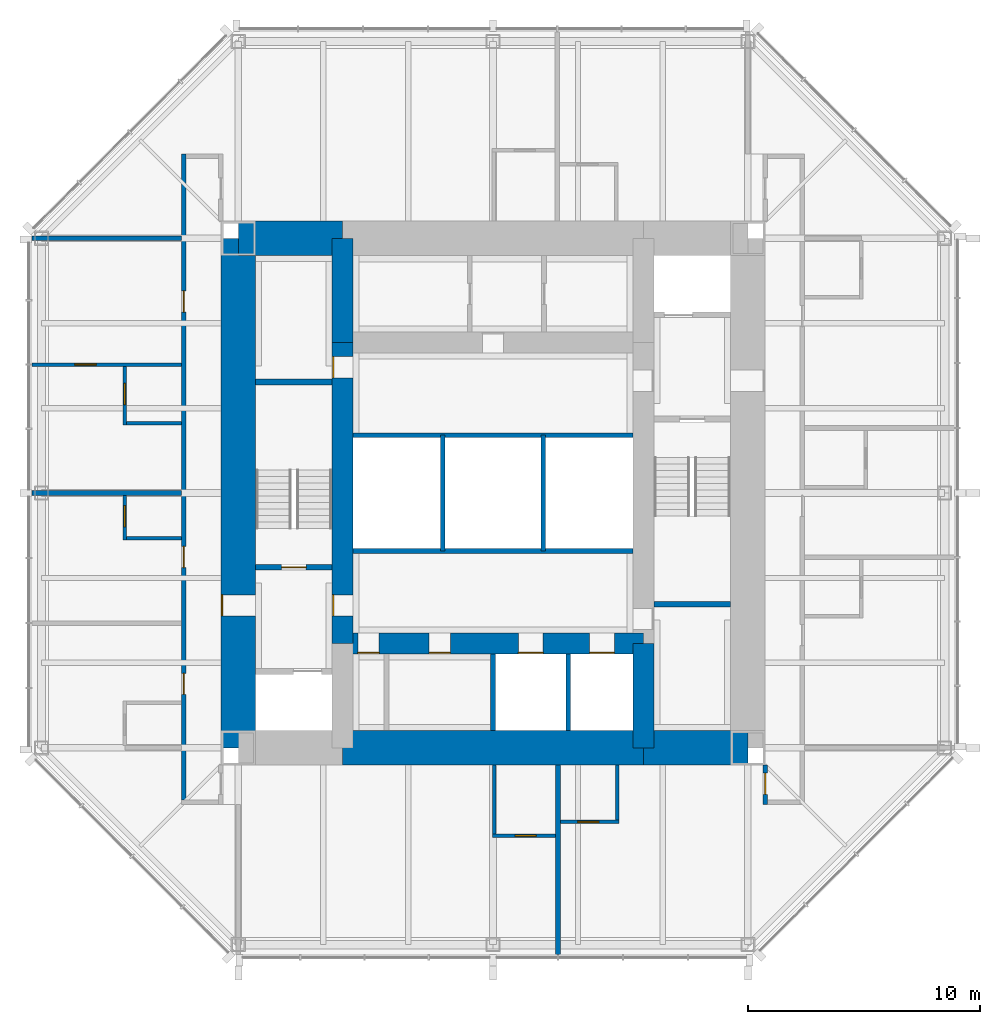
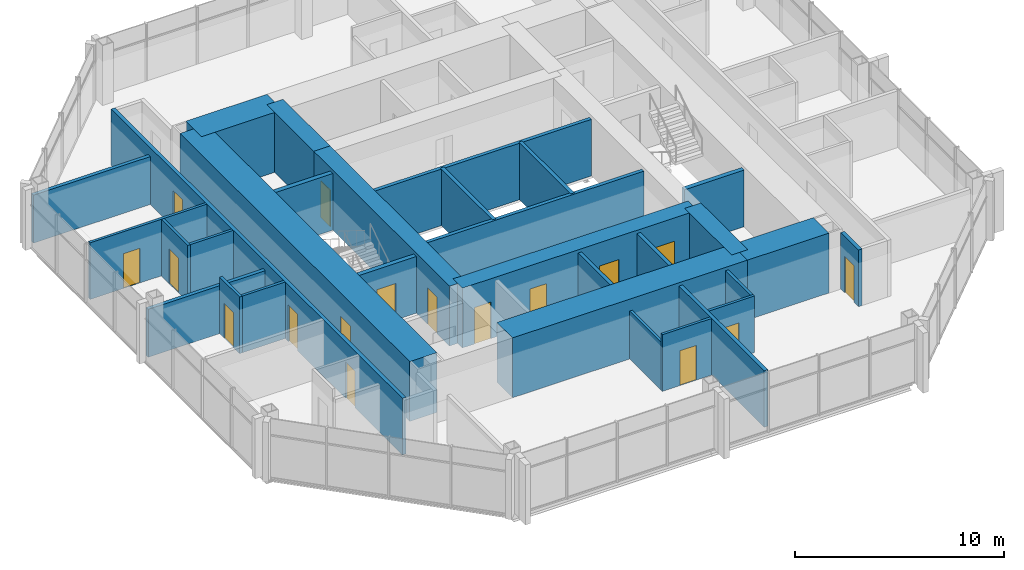
# One storey, part 8 of 11: 31 walls, 17 doors, 17 openings.
"""IFC4 building model written with IfcOpenShell, lengths in metres."""

import ifcopenshell
import ifcopenshell.guid

model = None  # the IFC model being written
_history = None  # IfcOwnerHistory: only IFC2X3 demands one
_inside = {}  # id of a spatial element -> (the spatial element, [elements in it])
_under = {}  # id of a project, library or spatial element -> (it, [spatial elements below it])
_declared = {}  # id of a project -> (the project, [libraries it declares])
_typed = {}  # id of a type object -> (the type object, [elements of that type])
_made_of = {}  # id of a material, layer set ... -> (it, [elements and type objects made of it])


def new_model(schema):
    """Start an empty IFC model of exactly this schema.

    Asked for "IFC4X3", IfcOpenShell would pick the latest addendum, in which some entities
    have other attributes; the version numbers below select the first issue.
    IFC2X3 requires an IfcOwnerHistory on every rooted entity: one is made here for all.
    """
    global model, _history
    if schema == "IFC4X3":
        model = ifcopenshell.file(schema_version=(4, 3, 0, 0))
    else:
        model = ifcopenshell.file(schema=schema)
    _inside.clear()
    _under.clear()
    _declared.clear()
    _typed.clear()
    _made_of.clear()
    _history = None
    if model.schema == "IFC2X3":
        org = make("IfcOrganization", Name="unknown")
        user = make(
            "IfcPersonAndOrganization",
            ThePerson=make("IfcPerson", FamilyName="unknown"),
            TheOrganization=org,
        )
        app = make(
            "IfcApplication",
            ApplicationDeveloper=org,
            Version="unknown",
            ApplicationFullName="unknown",
            ApplicationIdentifier="unknown",
        )
        _history = make(
            "IfcOwnerHistory",
            OwningUser=user,
            OwningApplication=app,
            ChangeAction="ADDED",
            CreationDate=0,
        )
    return model


def make(cls, **values):
    """One entity of the class cls with the attributes given. An attribute that is None is left unset."""
    return model.create_entity(
        cls, **{name: value for name, value in values.items() if value is not None}
    )


def rooted(cls, **values):
    """An entity with a GlobalId (a new one), such as an element, a storey or a relation."""
    return make(cls, GlobalId=ifcopenshell.guid.new(), OwnerHistory=_history, **values)


def si_unit(unit_type, name, prefix=None):
    """IfcSIUnit, for example si_unit("LENGTHUNIT", "METRE", prefix="MILLI")."""
    return make("IfcSIUnit", UnitType=unit_type, Prefix=prefix, Name=name)


def assignment(units):
    """IfcUnitAssignment: the units of a project."""
    return None if units is None else make("IfcUnitAssignment", Units=units)


def point(xyz):
    """IfcCartesianPoint."""
    return None if xyz is None else make("IfcCartesianPoint", Coordinates=xyz)


def direction(xyz):
    """IfcDirection."""
    return None if xyz is None else make("IfcDirection", DirectionRatios=xyz)


def frame(location, z_axis=None, x_axis=None):
    """IfcAxis2Placement3D, a coordinate frame: its origin and axes. An axis left out is left unset."""
    return make(
        "IfcAxis2Placement3D",
        Location=point(location),
        Axis=direction(z_axis),
        RefDirection=direction(x_axis),
    )


def frame_2d(location, x_axis=None):
    """IfcAxis2Placement2D, a coordinate frame in the plane: its origin and x axis."""
    return make(
        "IfcAxis2Placement2D", Location=point(location), RefDirection=direction(x_axis)
    )


def origin():
    """The frame at (0, 0, 0) with its axes left unset."""
    return frame((0.0, 0.0, 0.0))


def place(relative_to, where):
    """IfcLocalPlacement: puts the frame where relative to a parent placement (None: the world)."""
    return make(
        "IfcLocalPlacement", PlacementRelTo=relative_to, RelativePlacement=where
    )


def context(
    kind, dimensions, precision=None, world=None, true_north=None, identifier=None
):
    """IfcGeometricRepresentationContext, for example the 3D "Model" context."""
    return make(
        "IfcGeometricRepresentationContext",
        ContextIdentifier=identifier,
        ContextType=kind,
        CoordinateSpaceDimension=dimensions,
        Precision=precision,
        WorldCoordinateSystem=world,
        TrueNorth=true_north,
    )


def subcontext(parent, identifier, kind, view, scale=None):
    """IfcGeometricRepresentationSubContext, for example "Body" below "Model"."""
    return make(
        "IfcGeometricRepresentationSubContext",
        ContextIdentifier=identifier,
        ContextType=kind,
        ParentContext=parent,
        TargetScale=scale,
        TargetView=view,
    )


def project(units=None, contexts=None):
    """IfcProject with its units and contexts."""
    return rooted(
        "IfcProject",
        Name="project",
        RepresentationContexts=contexts,
        UnitsInContext=assignment(units),
    )


def spatial(cls, under=None, at=None, **own):
    """A site, building, storey or space (cls), placed at a placement, below another one or the project."""
    s = rooted(cls, ObjectPlacement=at, **own)
    if under is not None:
        _under.setdefault(under.id(), (under, []))[1].append(s)
    return s


def profile(cls, at=None, kind="AREA", **sizes):
    """A parametric profile (cls). Its sizes go by their IFC names, for example OverallWidth=200.0."""
    return make(cls, ProfileType=kind, Position=at, **sizes)


def rectangle(**sizes):
    """IfcRectangleProfileDef."""
    return profile("IfcRectangleProfileDef", **sizes)


def extrude(swept, where, along, depth):
    """IfcExtrudedAreaSolid: the profile swept, set in the frame where, extruded along a direction by depth."""
    return make(
        "IfcExtrudedAreaSolid",
        SweptArea=swept,
        Position=where,
        ExtrudedDirection=direction(along),
        Depth=depth,
    )


def shape(context_of_items, identifier, shape_type, items):
    """IfcShapeRepresentation: the items that make up one representation, for example the "Body"."""
    return make(
        "IfcShapeRepresentation",
        ContextOfItems=context_of_items,
        RepresentationIdentifier=identifier,
        RepresentationType=shape_type,
        Items=items,
    )


def material(Name=None, Category=None):
    """IfcMaterial."""
    return make("IfcMaterial", Name=Name, Category=Category)


def layer(
    of_material, thickness, ventilated=None, Name=None, Category=None, Priority=None
):
    """IfcMaterialLayer: one layer of a wall or slab, of a material (None: an air gap)."""
    return make(
        "IfcMaterialLayer",
        Material=of_material,
        LayerThickness=thickness,
        IsVentilated=ventilated,
        Name=Name,
        Category=Category,
        Priority=Priority,
    )


def layer_set(layers, Name=None):
    """IfcMaterialLayerSet."""
    return make("IfcMaterialLayerSet", MaterialLayers=layers, LayerSetName=Name)


def made_of(thing, what):
    """Note that an element or type object is made of a material, layer set ...; save() writes the relation."""
    if what is not None:
        _made_of.setdefault(what.id(), (what, []))[1].append(thing)
    return thing


def type_object(cls, material=None, **own):
    """A type object (cls), such as IfcWallType, which elements share."""
    return made_of(rooted(cls, **own), material)


def element(
    cls,
    number,
    at=None,
    inside=None,
    cuts=None,
    type_object=None,
    material=None,
    context=None,
    identifier="Body",
    shape_type=None,
    held_by="IfcProductDefinitionShape",
    body=None,
    shapes=None,
    **own,
):
    """One element of the class cls, such as IfcWall. Its Tag is "e" and its number.

    at: its placement. inside: the storey or other place that contains it. cuts: it is an
    opening in that element (IfcRelVoidsElement). A single representation is given by context,
    identifier, shape_type and body (its items); several are given by shapes. held_by: the class
    of the entity that holds the representations. save() writes the other relations.
    """
    e = rooted(cls, Tag="e%d" % number, ObjectPlacement=at, **own)
    if body is not None:
        shapes = [shape(context, identifier, shape_type, body)]
    if shapes is not None:
        e.Representation = make(held_by, Representations=shapes)
    if inside is not None:
        _inside.setdefault(inside.id(), (inside, []))[1].append(e)
    if cuts is not None:
        rooted(
            "IfcRelVoidsElement", RelatingBuildingElement=cuts, RelatedOpeningElement=e
        )
    if type_object is not None:
        _typed.setdefault(type_object.id(), (type_object, []))[1].append(e)
    return made_of(e, material)


def fill(opening, filler):
    """IfcRelFillsElement: the door or window that sits in an opening."""
    return rooted(
        "IfcRelFillsElement",
        RelatingOpeningElement=opening,
        RelatedBuildingElement=filler,
    )


def aggregate(whole, parts):
    """IfcRelAggregates: a whole, such as a stair, and the parts it consists of."""
    return rooted("IfcRelAggregates", RelatingObject=whole, RelatedObjects=parts)


def save(model, path):
    """Write the relations noted so far, then the file.

    IfcRelAggregates (storeys below a building ...), IfcRelContainedInSpatialStructure (elements
    in a storey), IfcRelDefinesByType, IfcRelAssociatesMaterial and IfcRelDeclares: one each for
    every whole, place, type object, material and project.
    """
    for whole, parts in _under.values():
        aggregate(whole, parts)
    for where, things in _inside.values():
        rooted(
            "IfcRelContainedInSpatialStructure",
            RelatedElements=things,
            RelatingStructure=where,
        )
    for kind, things in _typed.values():
        rooted("IfcRelDefinesByType", RelatedObjects=things, RelatingType=kind)
    for what, things in _made_of.values():
        rooted("IfcRelAssociatesMaterial", RelatedObjects=things, RelatingMaterial=what)
    for by, libraries in _declared.values():
        rooted("IfcRelDeclares", RelatingContext=by, RelatedDefinitions=libraries)
    model.write(path)


model = new_model("IFC4")

# Units and contexts
model_context = context("Model", 3, precision=1e-05, world=origin(), true_north=direction((0.0, 1.0)))
body_context = subcontext(model_context, "Body", "Model", "MODEL_VIEW")
ifc_project = project(units=[si_unit("LENGTHUNIT", "METRE"), si_unit("AREAUNIT", "SQUARE_METRE"), si_unit("VOLUMEUNIT", "CUBIC_METRE"), si_unit("PLANEANGLEUNIT", "RADIAN"), si_unit("MASSUNIT", "GRAM", prefix="KILO")], contexts=[model_context])

# Site, building, storey
site_placement = place(None, origin())
site = spatial("IfcSite", under=ifc_project, at=site_placement, CompositionType="ELEMENT")
building_placement = place(site_placement, origin())
building = spatial("IfcBuilding", under=site, at=building_placement, Name="Trevanion Tower", CompositionType="ELEMENT")
storey_placement = place(building_placement, frame((0.0, 0.0, 243.199951171875)))
storey = spatial("IfcBuildingStorey", under=building, at=storey_placement, Name="L59", CompositionType="ELEMENT", Elevation=243.199951171875)

# Wall, opening, door
ifc_material_1 = material(Name="Concrete 10,000 psi", Category="concrete")
ifc_layer_1 = layer(ifc_material_1, 1.5)
ifc_layer_set_1 = layer_set([ifc_layer_1], Name="CW1 core wall 1500")
wall_type_1 = type_object("IfcWallType", Name="CW1 core wall 1500", PredefinedType="SHEAR", material=ifc_layer_set_1)
wall_1_placement = place(storey_placement, frame((-11.0, 11.0, 0.0), z_axis=(0.0, 0.0, 1.0), x_axis=(0.0, -1.0, 0.0)))
wall_1 = element("IfcWall", 1, at=wall_1_placement, inside=storey, type_object=wall_type_1, Name="CW1 CW L59", PredefinedType="SHEAR", context=body_context, shape_type="SweptSolid", body=[
    extrude(rectangle(XDim=22.0, YDim=1.5, at=frame_2d((11.0, 0.0))), origin(), (0.0, 0.0, 1.0), 3.5),
])
opening_1_placement = place(wall_1_placement, frame((15.392578125, 0.0, 0.0)))
opening_1 = element("IfcOpeningElement", 2, at=opening_1_placement, cuts=wall_1, Name="Opening 59-002", PredefinedType="OPENING", context=body_context, shape_type="SweptSolid", body=[
    extrude(rectangle(XDim=0.9150390625, YDim=2.134033203125, at=frame_2d((0.45751953125, 1.06689453125))), frame((0.0, 0.760009765625, 0.0), z_axis=(0.0, -1.0, 0.0), x_axis=(1.0, 0.0, 0.0)), (0.0, 0.0, 1.0), 1.52001953125),
])
ifc_material_2 = material(Name="Hollow metal, fire rated", Category="steel")
door_type_1 = type_object("IfcDoorType", Name="D3 fire lift lobby door", OperationType="SINGLE_SWING_RIGHT", PredefinedType="DOOR", material=ifc_material_2)
door_1_placement = place(opening_1_placement, origin())
door_1 = element("IfcDoor", 3, at=door_1_placement, inside=storey, type_object=door_type_1, Name="Door 59-002", OperationType="SINGLE_SWING_RIGHT", OverallHeight=2.134033203125, OverallWidth=0.9150390625, PredefinedType="DOOR", context=body_context, shape_type="SweptSolid", body=[
    extrude(rectangle(XDim=0.9150390625, YDim=2.134033203125, at=frame_2d((0.45751953125, 1.06689453125))), frame((0.0, -0.6748046875, 0.0), z_axis=(0.0, -1.0, 0.0), x_axis=(1.0, 0.0, 0.0)), (0.0, 0.0, 1.0), 0.050048828125),
])
fill(opening_1, door_1)

# Walls
wall_2_placement = place(storey_placement, frame((-6.5, 11.0, 0.0), z_axis=(0.0, 0.0, 1.0), x_axis=(-1.0, 0.0, 0.0)))
element("IfcWall", 4, at=wall_2_placement, inside=storey, type_object=wall_type_1, Name="CW1 CN3 L59", PredefinedType="SHEAR", context=body_context, shape_type="SweptSolid", body=[
    extrude(rectangle(XDim=4.5, YDim=1.5, at=frame_2d((2.25, 0.0))), origin(), (0.0, 0.0, 1.0), 3.5),
])
wall_3_placement = place(storey_placement, frame((-6.5, -11.0, 0.0), z_axis=(0.0, 0.0, 1.0), x_axis=(1.0, 0.0, 0.0)))
element("IfcWall", 5, at=wall_3_placement, inside=storey, type_object=wall_type_1, Name="CW1 CS2 L59", PredefinedType="SHEAR", context=body_context, shape_type="SweptSolid", body=[
    extrude(rectangle(XDim=13.0, YDim=1.5, at=frame_2d((6.5, 0.0))), origin(), (0.0, 0.0, 1.0), 3.5),
])
wall_4_placement = place(storey_placement, frame((6.5, -11.0, 0.0), z_axis=(0.0, 0.0, 1.0), x_axis=(1.0, 0.0, 0.0)))
element("IfcWall", 6, at=wall_4_placement, inside=storey, type_object=wall_type_1, Name="CW1 CS3 L59", PredefinedType="SHEAR", context=body_context, shape_type="SweptSolid", body=[
    extrude(rectangle(XDim=4.5, YDim=1.5, at=frame_2d((2.25, 0.0))), origin(), (0.0, 0.0, 1.0), 3.5),
])
ifc_material_3 = material(Name="Concrete 10,000 psi", Category="concrete")
ifc_layer_2 = layer(ifc_material_3, 0.89990234375)
ifc_layer_set_2 = layer_set([ifc_layer_2], Name="CW2 core wall 900")
wall_type_2 = type_object("IfcWallType", Name="CW2 core wall 900", PredefinedType="SHEAR", material=ifc_layer_set_2)
for number, where, z_axis, x_axis, name in (
    (7, (6.5, -11.0, 0.0), (0.0, 0.0, 1.0), (0.0, 1.0, 0.0), "CW2 RE1 L59"),
    (8, (-6.5, 11.0, 0.0), (0.0, 0.0, 1.0), (0.0, -1.0, 0.0), "CW2 RW1 L59"),
):
    element("IfcWall", number, at=place(storey_placement, frame(where, z_axis=z_axis, x_axis=x_axis)), inside=storey, type_object=wall_type_2, Name=name, PredefinedType="SHEAR", context=body_context, shape_type="SweptSolid", body=[
        extrude(rectangle(XDim=4.5, YDim=0.89990234375, at=frame_2d((2.25, 0.0))), origin(), (0.0, 0.0, 1.0), 3.5),
    ])

# Wall, openings, doors
wall_5_placement = place(storey_placement, frame((-6.5, 6.5, 0.0), z_axis=(0.0, 0.0, 1.0), x_axis=(0.0, -1.0, 0.0)))
wall_5 = element("IfcWall", 9, at=wall_5_placement, inside=storey, type_object=wall_type_2, Name="CW2 RW2 L59", PredefinedType="SHEAR", context=body_context, shape_type="SweptSolid", body=[
    extrude(rectangle(XDim=13.0, YDim=0.89990234375, at=frame_2d((6.5, 0.0))), origin(), (0.0, 0.0, 1.0), 3.5),
])
opening_2_placement = place(wall_5_placement, frame((10.892578125, 0.0, 0.0)))
opening_2 = element("IfcOpeningElement", 10, at=opening_2_placement, cuts=wall_5, Name="Opening 59-004", PredefinedType="OPENING", context=body_context, shape_type="SweptSolid", body=[
    extrude(rectangle(XDim=0.9150390625, YDim=2.134033203125, at=frame_2d((0.45751953125, 1.06689453125))), frame((0.0, 0.4599609375, 0.0), z_axis=(0.0, -1.0, 0.0), x_axis=(1.0, 0.0, 0.0)), (0.0, 0.0, 1.0), 0.919921875),
])
opening_3_placement = place(wall_5_placement, frame((0.610107421875, 0.0, 0.0)))
opening_3 = element("IfcOpeningElement", 11, at=opening_3_placement, cuts=wall_5, Name="Opening 59-010", PredefinedType="OPENING", context=body_context, shape_type="SweptSolid", body=[
    extrude(rectangle(XDim=0.9150390625, YDim=2.134033203125, at=frame_2d((0.45751953125, 1.06689453125))), frame((0.0, 0.4599609375, 0.0), z_axis=(0.0, -1.0, 0.0), x_axis=(1.0, 0.0, 0.0)), (0.0, 0.0, 1.0), 0.919921875),
])
door_2_placement = place(opening_2_placement, origin())
door_2 = element("IfcDoor", 12, at=door_2_placement, inside=storey, type_object=door_type_1, Name="Door 59-004", OperationType="SINGLE_SWING_RIGHT", OverallHeight=2.134033203125, OverallWidth=0.9150390625, PredefinedType="DOOR", context=body_context, shape_type="SweptSolid", body=[
    extrude(rectangle(XDim=0.9150390625, YDim=2.134033203125, at=frame_2d((0.45751953125, 1.06689453125))), frame((0.0, -0.375, 0.0), z_axis=(0.0, -1.0, 0.0), x_axis=(1.0, 0.0, 0.0)), (0.0, 0.0, 1.0), 0.050048828125),
])
fill(opening_2, door_2)
ifc_material_4 = material(Name="Hollow metal, fire rated", Category="steel")
door_type_2 = type_object("IfcDoorType", Name="D5 service room door", OperationType="SINGLE_SWING_RIGHT", PredefinedType="DOOR", material=ifc_material_4)
door_3_placement = place(opening_3_placement, origin())
door_3 = element("IfcDoor", 13, at=door_3_placement, inside=storey, type_object=door_type_2, Name="Door 59-010", OperationType="SINGLE_SWING_RIGHT", OverallHeight=2.134033203125, OverallWidth=0.9150390625, PredefinedType="DOOR", context=body_context, shape_type="SweptSolid", body=[
    extrude(rectangle(XDim=0.9150390625, YDim=2.134033203125, at=frame_2d((0.45751953125, 1.06689453125))), frame((0.0, -0.375, 0.0), z_axis=(0.0, -1.0, 0.0), x_axis=(1.0, 0.0, 0.0)), (0.0, 0.0, 1.0), 0.050048828125),
])
fill(opening_3, door_3)

wall_6_placement = place(storey_placement, frame((-6.5, -6.5, 0.0), z_axis=(0.0, 0.0, 1.0), x_axis=(1.0, 0.0, 0.0)))
wall_6 = element("IfcWall", 14, at=wall_6_placement, inside=storey, type_object=wall_type_2, Name="CW2 RS L59", PredefinedType="SHEAR", context=body_context, shape_type="SweptSolid", body=[
    extrude(rectangle(XDim=13.0, YDim=0.89990234375, at=frame_2d((6.5, 0.0))), origin(), (0.0, 0.0, 1.0), 3.5),
])
opening_4_placement = place(wall_6_placement, frame((7.591552734375, 0.0, 0.0)))
opening_4 = element("IfcOpeningElement", 15, at=opening_4_placement, cuts=wall_6, Name="Opening 59-011", PredefinedType="OPENING", context=body_context, shape_type="SweptSolid", body=[
    extrude(rectangle(XDim=1.06689453125, YDim=2.134033203125, at=frame_2d((0.533447265625, 1.06689453125))), frame((0.0, 0.4599609375, 0.0), z_axis=(0.0, -1.0, 0.0), x_axis=(1.0, 0.0, 0.0)), (0.0, 0.0, 1.0), 0.919921875),
])
opening_5_placement = place(wall_6_placement, frame((10.66650390625, 0.0, 0.0)))
opening_5 = element("IfcOpeningElement", 16, at=opening_5_placement, cuts=wall_6, Name="Opening 59-012", PredefinedType="OPENING", context=body_context, shape_type="SweptSolid", body=[
    extrude(rectangle(XDim=1.06689453125, YDim=2.134033203125, at=frame_2d((0.533447265625, 1.06689453125))), frame((0.0, 0.4599609375, 0.0), z_axis=(0.0, -1.0, 0.0), x_axis=(1.0, 0.0, 0.0)), (0.0, 0.0, 1.0), 0.919921875),
])
opening_6_placement = place(wall_6_placement, frame((0.66748046875, 0.0, 0.0)))
opening_6 = element("IfcOpeningElement", 17, at=opening_6_placement, cuts=wall_6, Name="Opening 59-013", PredefinedType="OPENING", context=body_context, shape_type="SweptSolid", body=[
    extrude(rectangle(XDim=0.9150390625, YDim=2.134033203125, at=frame_2d((0.45751953125, 1.06689453125))), frame((0.0, 0.4599609375, 0.0), z_axis=(0.0, -1.0, 0.0), x_axis=(1.0, 0.0, 0.0)), (0.0, 0.0, 1.0), 0.919921875),
])
opening_7_placement = place(wall_6_placement, frame((3.742431640625, 0.0, 0.0)))
opening_7 = element("IfcOpeningElement", 18, at=opening_7_placement, cuts=wall_6, Name="Opening 59-014", PredefinedType="OPENING", context=body_context, shape_type="SweptSolid", body=[
    extrude(rectangle(XDim=0.9150390625, YDim=2.134033203125, at=frame_2d((0.45751953125, 1.06689453125))), frame((0.0, 0.4599609375, 0.0), z_axis=(0.0, -1.0, 0.0), x_axis=(1.0, 0.0, 0.0)), (0.0, 0.0, 1.0), 0.919921875),
])
door_4_placement = place(opening_6_placement, origin())
door_4 = element("IfcDoor", 19, at=door_4_placement, inside=storey, type_object=door_type_2, Name="Door 59-013", OperationType="SINGLE_SWING_RIGHT", OverallHeight=2.134033203125, OverallWidth=0.9150390625, PredefinedType="DOOR", context=body_context, shape_type="SweptSolid", body=[
    extrude(rectangle(XDim=0.9150390625, YDim=2.134033203125, at=frame_2d((0.45751953125, 1.06689453125))), frame((0.0, -0.375, 0.0), z_axis=(0.0, -1.0, 0.0), x_axis=(1.0, 0.0, 0.0)), (0.0, 0.0, 1.0), 0.050048828125),
])
fill(opening_6, door_4)
door_5_placement = place(opening_7_placement, origin())
door_5 = element("IfcDoor", 20, at=door_5_placement, inside=storey, type_object=door_type_2, Name="Door 59-014", OperationType="SINGLE_SWING_RIGHT", OverallHeight=2.134033203125, OverallWidth=0.9150390625, PredefinedType="DOOR", context=body_context, shape_type="SweptSolid", body=[
    extrude(rectangle(XDim=0.9150390625, YDim=2.134033203125, at=frame_2d((0.45751953125, 1.06689453125))), frame((0.0, -0.375, 0.0), z_axis=(0.0, -1.0, 0.0), x_axis=(1.0, 0.0, 0.0)), (0.0, 0.0, 1.0), 0.050048828125),
])
fill(opening_7, door_5)
ifc_material_5 = material(Name="Stainless steel, fire rated", Category="steel")
door_type_3 = type_object("IfcDoorType", Name="LD1 lift landing door", OperationType="SLIDING_TO_LEFT", PredefinedType="DOOR", material=ifc_material_5)
door_6_placement = place(opening_4_placement, origin())
door_6 = element("IfcDoor", 21, at=door_6_placement, inside=storey, type_object=door_type_3, Name="Door 59-011", OperationType="SLIDING_TO_LEFT", OverallHeight=2.134033203125, OverallWidth=1.06689453125, PredefinedType="DOOR", context=body_context, shape_type="SweptSolid", body=[
    extrude(rectangle(XDim=1.06689453125, YDim=2.134033203125, at=frame_2d((0.533447265625, 1.06689453125))), frame((0.0, -0.375, 0.0), z_axis=(0.0, -1.0, 0.0), x_axis=(1.0, 0.0, 0.0)), (0.0, 0.0, 1.0), 0.050048828125),
])
fill(opening_4, door_6)
door_7_placement = place(opening_5_placement, origin())
door_7 = element("IfcDoor", 22, at=door_7_placement, inside=storey, type_object=door_type_3, Name="Door 59-012", OperationType="SLIDING_TO_LEFT", OverallHeight=2.134033203125, OverallWidth=1.06689453125, PredefinedType="DOOR", context=body_context, shape_type="SweptSolid", body=[
    extrude(rectangle(XDim=1.06689453125, YDim=2.134033203125, at=frame_2d((0.533447265625, 1.06689453125))), frame((0.0, -0.375, 0.0), z_axis=(0.0, -1.0, 0.0), x_axis=(1.0, 0.0, 0.0)), (0.0, 0.0, 1.0), 0.050048828125),
])
fill(opening_5, door_7)

# Wall, opening, door
ifc_material_6 = material(Name="Gypsum board on steel studs", Category="steel")
ifc_layer_3 = layer(ifc_material_6, 0.14990234375)
ifc_layer_set_3 = layer_set([ifc_layer_3], Name="PT1 partition 150")
wall_type_3 = type_object("IfcWallType", Name="PT1 partition 150", PredefinedType="PARTITIONING", material=ifc_layer_set_3)
wall_7_placement = place(storey_placement, frame((-13.449951171875, 5.549072265625, 0.0), z_axis=(0.0, 0.0, 1.0), x_axis=(-1.0, 0.0, 0.0)))
wall_7 = element("IfcWall", 23, at=wall_7_placement, inside=storey, type_object=wall_type_3, Name="PT1 L59 SW20", PredefinedType="PARTITIONING", context=body_context, shape_type="SweptSolid", body=[
    extrude(rectangle(XDim=6.465087890625, YDim=0.14990234375, at=frame_2d((3.232421875, 0.0))), origin(), (0.0, 0.0, 1.0), 3.31005859375),
])
opening_8_placement = place(wall_7_placement, frame((3.6923828125, 0.0, 0.0)))
opening_8 = element("IfcOpeningElement", 24, at=opening_8_placement, cuts=wall_7, Name="Opening 59-030", PredefinedType="OPENING", context=body_context, shape_type="SweptSolid", body=[
    extrude(rectangle(XDim=0.9150390625, YDim=2.031982421875, at=frame_2d((0.45751953125, 1.01611328125))), frame((0.0, 0.0849609375, 0.0), z_axis=(0.0, -1.0, 0.0), x_axis=(1.0, 0.0, 0.0)), (0.0, 0.0, 1.0), 0.169921875),
])
ifc_material_7 = material(Name="Timber veneer", Category="wood")
door_type_4 = type_object("IfcDoorType", Name="D7 bathroom door", OperationType="SINGLE_SWING_LEFT", PredefinedType="DOOR", material=ifc_material_7)
door_8_placement = place(opening_8_placement, origin())
door_8 = element("IfcDoor", 25, at=door_8_placement, inside=storey, type_object=door_type_4, Name="Door 59-030", OperationType="SINGLE_SWING_LEFT", OverallHeight=2.031982421875, OverallWidth=0.9150390625, PredefinedType="DOOR", context=body_context, shape_type="SweptSolid", body=[
    extrude(rectangle(XDim=0.9150390625, YDim=2.031982421875, at=frame_2d((0.45751953125, 1.01611328125))), frame((0.0, 0.02490234375, 0.0), z_axis=(0.0, -1.0, 0.0), x_axis=(1.0, 0.0, 0.0)), (0.0, 0.0, 1.0), 0.050048828125),
])
fill(opening_8, door_8)

wall_8_placement = place(storey_placement, frame((-15.89990234375, 5.47412109375, 0.0), z_axis=(0.0, 0.0, 1.0), x_axis=(0.0, -1.0, 0.0)))
wall_8 = element("IfcWall", 26, at=wall_8_placement, inside=storey, type_object=wall_type_3, Name="PT1 L59 BA20", PredefinedType="PARTITIONING", context=body_context, shape_type="SweptSolid", body=[
    extrude(rectangle(XDim=2.525146484375, YDim=0.14990234375, at=frame_2d((1.2626953125, 0.0))), origin(), (0.0, 0.0, 1.0), 3.31005859375),
])
opening_9_placement = place(wall_8_placement, frame((0.742431640625, 0.0, 0.0)))
opening_9 = element("IfcOpeningElement", 27, at=opening_9_placement, cuts=wall_8, Name="Opening 59-028", PredefinedType="OPENING", context=body_context, shape_type="SweptSolid", body=[
    extrude(rectangle(XDim=0.9150390625, YDim=2.031982421875, at=frame_2d((0.45751953125, 1.01611328125))), frame((0.0, 0.0849609375, 0.0), z_axis=(0.0, -1.0, 0.0), x_axis=(1.0, 0.0, 0.0)), (0.0, 0.0, 1.0), 0.169921875),
])
door_9_placement = place(opening_9_placement, origin())
door_9 = element("IfcDoor", 28, at=door_9_placement, inside=storey, type_object=door_type_4, Name="Door 59-028", OperationType="SINGLE_SWING_LEFT", OverallHeight=2.031982421875, OverallWidth=0.9150390625, PredefinedType="DOOR", context=body_context, shape_type="SweptSolid", body=[
    extrude(rectangle(XDim=0.9150390625, YDim=2.031982421875, at=frame_2d((0.45751953125, 1.01611328125))), frame((0.0, 0.02490234375, 0.0), z_axis=(0.0, -1.0, 0.0), x_axis=(1.0, 0.0, 0.0)), (0.0, 0.0, 1.0), 0.050048828125),
])
fill(opening_9, door_9)

# Wall
wall_9_placement = place(storey_placement, frame((-13.449951171875, 3.02392578125, 0.0), z_axis=(0.0, 0.0, 1.0), x_axis=(-1.0, 0.0, 0.0)))
element("IfcWall", 29, at=wall_9_placement, inside=storey, type_object=wall_type_3, Name="PT1 L59 BB20", PredefinedType="PARTITIONING", context=body_context, shape_type="SweptSolid", body=[
    extrude(rectangle(XDim=2.375, YDim=0.14990234375, at=frame_2d((1.1875, 0.0))), origin(), (0.0, 0.0, 1.0), 3.31005859375),
])

# Wall, opening, door
wall_10_placement = place(storey_placement, frame((-15.89990234375, -0.10009765625, 0.0), z_axis=(0.0, 0.0, 1.0), x_axis=(0.0, -1.0, 0.0)))
wall_10 = element("IfcWall", 30, at=wall_10_placement, inside=storey, type_object=wall_type_3, Name="PT1 L59 BA21", PredefinedType="PARTITIONING", context=body_context, shape_type="SweptSolid", body=[
    extrude(rectangle(XDim=1.9248046875, YDim=0.14990234375, at=frame_2d((0.96240234375, 0.0))), origin(), (0.0, 0.0, 1.0), 3.31005859375),
])
opening_10_placement = place(wall_10_placement, frame((0.4423828125, 0.0, 0.0)))
opening_10 = element("IfcOpeningElement", 31, at=opening_10_placement, cuts=wall_10, Name="Opening 59-031", PredefinedType="OPENING", context=body_context, shape_type="SweptSolid", body=[
    extrude(rectangle(XDim=0.9150390625, YDim=2.031982421875, at=frame_2d((0.45751953125, 1.01611328125))), frame((0.0, 0.0849609375, 0.0), z_axis=(0.0, -1.0, 0.0), x_axis=(1.0, 0.0, 0.0)), (0.0, 0.0, 1.0), 0.169921875),
])
door_10_placement = place(opening_10_placement, origin())
door_10 = element("IfcDoor", 32, at=door_10_placement, inside=storey, type_object=door_type_4, Name="Door 59-031", OperationType="SINGLE_SWING_LEFT", OverallHeight=2.031982421875, OverallWidth=0.9150390625, PredefinedType="DOOR", context=body_context, shape_type="SweptSolid", body=[
    extrude(rectangle(XDim=0.9150390625, YDim=2.031982421875, at=frame_2d((0.45751953125, 1.01611328125))), frame((0.0, 0.02490234375, 0.0), z_axis=(0.0, -1.0, 0.0), x_axis=(1.0, 0.0, 0.0)), (0.0, 0.0, 1.0), 0.050048828125),
])
fill(opening_10, door_10)

# Wall
wall_11_placement = place(storey_placement, frame((-13.449951171875, -1.949951171875, 0.0), z_axis=(0.0, 0.0, 1.0), x_axis=(-1.0, 0.0, 0.0)))
element("IfcWall", 33, at=wall_11_placement, inside=storey, type_object=wall_type_3, Name="PT1 L59 BB21", PredefinedType="PARTITIONING", context=body_context, shape_type="SweptSolid", body=[
    extrude(rectangle(XDim=2.375, YDim=0.14990234375, at=frame_2d((1.1875, 0.0))), origin(), (0.0, 0.0, 1.0), 3.31005859375),
])

# Wall, opening, door
wall_12_placement = place(storey_placement, frame((-0.01806640625, -14.800048828125, 0.0), z_axis=(0.0, 0.0, 1.0), x_axis=(1.0, 0.0, 0.0)))
wall_12 = element("IfcWall", 34, at=wall_12_placement, inside=storey, type_object=wall_type_3, Name="PT1 L59 BA30", PredefinedType="PARTITIONING", context=body_context, shape_type="SweptSolid", body=[
    extrude(rectangle(XDim=2.72509765625, YDim=0.14990234375, at=frame_2d((1.362548828125, 0.0))), origin(), (0.0, 0.0, 1.0), 3.31005859375),
])
opening_11_placement = place(wall_12_placement, frame((0.967529296875, 0.0, 0.0)))
opening_11 = element("IfcOpeningElement", 35, at=opening_11_placement, cuts=wall_12, Name="Opening 59-037", PredefinedType="OPENING", context=body_context, shape_type="SweptSolid", body=[
    extrude(rectangle(XDim=0.9150390625, YDim=2.031982421875, at=frame_2d((0.45751953125, 1.01611328125))), frame((0.0, 0.0849609375, 0.0), z_axis=(0.0, -1.0, 0.0), x_axis=(1.0, 0.0, 0.0)), (0.0, 0.0, 1.0), 0.169921875),
])
door_11_placement = place(opening_11_placement, origin())
door_11 = element("IfcDoor", 36, at=door_11_placement, inside=storey, type_object=door_type_4, Name="Door 59-037", OperationType="SINGLE_SWING_LEFT", OverallHeight=2.031982421875, OverallWidth=0.9150390625, PredefinedType="DOOR", context=body_context, shape_type="SweptSolid", body=[
    extrude(rectangle(XDim=0.9150390625, YDim=2.031982421875, at=frame_2d((0.45751953125, 1.01611328125))), frame((0.0, 0.02490234375, 0.0), z_axis=(0.0, -1.0, 0.0), x_axis=(1.0, 0.0, 0.0)), (0.0, 0.0, 1.0), 0.050048828125),
])
fill(opening_11, door_11)

# Wall
wall_13_placement = place(storey_placement, frame((0.056884765625, -11.75, 0.0), z_axis=(0.0, 0.0, 1.0), x_axis=(0.0, -1.0, 0.0)))
element("IfcWall", 37, at=wall_13_placement, inside=storey, type_object=wall_type_3, Name="PT1 L59 BB30", PredefinedType="PARTITIONING", context=body_context, shape_type="SweptSolid", body=[
    extrude(rectangle(XDim=2.97509765625, YDim=0.14990234375, at=frame_2d((1.487548828125, 0.0))), origin(), (0.0, 0.0, 1.0), 2.802001953125),
])

# Wall, opening, door
wall_14_placement = place(storey_placement, frame((2.906982421875, -14.199951171875, 0.0), z_axis=(0.0, 0.0, 1.0), x_axis=(1.0, 0.0, 0.0)))
wall_14 = element("IfcWall", 38, at=wall_14_placement, inside=storey, type_object=wall_type_3, Name="PT1 L59 BA31", PredefinedType="PARTITIONING", context=body_context, shape_type="SweptSolid", body=[
    extrude(rectangle(XDim=2.52490234375, YDim=0.14990234375, at=frame_2d((1.262451171875, 0.0))), origin(), (0.0, 0.0, 1.0), 3.31005859375),
])
opening_12_placement = place(wall_14_placement, frame((0.742431640625, 0.0, 0.0)))
opening_12 = element("IfcOpeningElement", 39, at=opening_12_placement, cuts=wall_14, Name="Opening 59-038", PredefinedType="OPENING", context=body_context, shape_type="SweptSolid", body=[
    extrude(rectangle(XDim=0.9150390625, YDim=2.031982421875, at=frame_2d((0.45751953125, 1.01611328125))), frame((0.0, 0.0849609375, 0.0), z_axis=(0.0, -1.0, 0.0), x_axis=(1.0, 0.0, 0.0)), (0.0, 0.0, 1.0), 0.169921875),
])
door_12_placement = place(opening_12_placement, origin())
door_12 = element("IfcDoor", 40, at=door_12_placement, inside=storey, type_object=door_type_4, Name="Door 59-038", OperationType="SINGLE_SWING_LEFT", OverallHeight=2.031982421875, OverallWidth=0.9150390625, PredefinedType="DOOR", context=body_context, shape_type="SweptSolid", body=[
    extrude(rectangle(XDim=0.9150390625, YDim=2.031982421875, at=frame_2d((0.45751953125, 1.01611328125))), frame((0.0, 0.02490234375, 0.0), z_axis=(0.0, -1.0, 0.0), x_axis=(1.0, 0.0, 0.0)), (0.0, 0.0, 1.0), 0.050048828125),
])
fill(opening_12, door_12)

# Walls
wall_15_placement = place(storey_placement, frame((5.35693359375, -11.75, 0.0), z_axis=(0.0, 0.0, 1.0), x_axis=(0.0, -1.0, 0.0)))
element("IfcWall", 41, at=wall_15_placement, inside=storey, type_object=wall_type_3, Name="PT1 L59 BB31", PredefinedType="PARTITIONING", context=body_context, shape_type="SweptSolid", body=[
    extrude(rectangle(XDim=2.375, YDim=0.14990234375, at=frame_2d((1.1875, 0.0))), origin(), (0.0, 0.0, 1.0), 3.31005859375),
])
ifc_material_8 = material(Name="Concrete masonry, grouted", Category="masonry")
ifc_layer_4 = layer(ifc_material_8, 0.199951171875)
ifc_layer_set_4 = layer_set([ifc_layer_4], Name="PT2 partition 200 1 HR")
wall_type_4 = type_object("IfcWallType", Name="PT2 partition 200 1 HR", PredefinedType="PARTITIONING", material=ifc_layer_set_4)
for number, where, z_axis, x_axis, name in (
    (42, (-6.050048828125, 2.5, 0.0), (0.0, 0.0, 1.0), (1.0, 0.0, 0.0), "PT2 L59 CP1"),
    (43, (6.050048828125, -2.5, 0.0), (0.0, 0.0, 1.0), (-1.0, 0.0, 0.0), "PT2 L59 CP2"),
):
    element("IfcWall", number, at=place(storey_placement, frame(where, z_axis=z_axis, x_axis=x_axis)), inside=storey, type_object=wall_type_4, Name=name, PredefinedType="PARTITIONING", context=body_context, shape_type="SweptSolid", body=[
        extrude(rectangle(XDim=12.10009765625, YDim=0.199951171875, at=frame_2d((6.050048828125, 0.0))), origin(), (0.0, 0.0, 1.0), 3.31005859375),
    ])

# Wall, opening, door
wall_16_placement = place(storey_placement, frame((11.75, -11.75, 0.0), z_axis=(0.0, 0.0, 1.0), x_axis=(0.0, -1.0, 0.0)))
wall_16 = element("IfcWall", 44, at=wall_16_placement, inside=storey, type_object=wall_type_4, Name="PT2 L59 HO3b", PredefinedType="PARTITIONING", context=body_context, shape_type="SweptSolid", body=[
    extrude(rectangle(XDim=1.699951171875, YDim=0.199951171875, at=frame_2d((0.85009765625, 0.0))), origin(), (0.0, 0.0, 1.0), 3.31005859375),
])
opening_13_placement = place(wall_16_placement, frame((0.342529296875, 0.0, 0.0)))
opening_13 = element("IfcOpeningElement", 45, at=opening_13_placement, cuts=wall_16, Name="Opening 59-036", PredefinedType="OPENING", context=body_context, shape_type="SweptSolid", body=[
    extrude(rectangle(XDim=0.9150390625, YDim=2.134033203125, at=frame_2d((0.45751953125, 1.06689453125))), frame((0.0, 0.10986328125, 0.0), z_axis=(0.0, -1.0, 0.0), x_axis=(1.0, 0.0, 0.0)), (0.0, 0.0, 1.0), 0.219970703125),
])
ifc_material_9 = material(Name="Timber veneer, fire rated", Category="wood")
door_type_5 = type_object("IfcDoorType", Name="D6 guest room entrance door", OperationType="SINGLE_SWING_LEFT", PredefinedType="DOOR", material=ifc_material_9)
door_13_placement = place(opening_13_placement, origin())
door_13 = element("IfcDoor", 46, at=door_13_placement, inside=storey, type_object=door_type_5, Name="Door 59-036", OperationType="SINGLE_SWING_LEFT", OverallHeight=2.134033203125, OverallWidth=0.9150390625, PredefinedType="DOOR", context=body_context, shape_type="SweptSolid", body=[
    extrude(rectangle(XDim=0.9150390625, YDim=2.134033203125, at=frame_2d((0.45751953125, 1.06689453125))), frame((0.0, 0.02490234375, 0.0), z_axis=(0.0, -1.0, 0.0), x_axis=(1.0, 0.0, 0.0)), (0.0, 0.0, 1.0), 0.050048828125),
])
fill(opening_13, door_13)

# Wall, openings, doors
wall_17_placement = place(storey_placement, frame((-13.35009765625, 14.64990234375, 0.0), z_axis=(0.0, 0.0, 1.0), x_axis=(0.0, -1.0, 0.0)))
wall_17 = element("IfcWall", 47, at=wall_17_placement, inside=storey, type_object=wall_type_4, Name="PT2 L59 HC2", PredefinedType="PARTITIONING", context=body_context, shape_type="SweptSolid", body=[
    extrude(rectangle(XDim=27.89990234375, YDim=0.199951171875, at=frame_2d((13.949951171875, 0.0))), origin(), (0.0, 0.0, 1.0), 3.31005859375),
])
opening_14_placement = place(wall_17_placement, frame((5.91796875, 0.0, 0.0)))
opening_14 = element("IfcOpeningElement", 48, at=opening_14_placement, cuts=wall_17, Name="Opening 59-029", PredefinedType="OPENING", context=body_context, shape_type="SweptSolid", body=[
    extrude(rectangle(XDim=0.9150390625, YDim=2.134033203125, at=frame_2d((0.45751953125, 1.06689453125))), frame((0.0, 0.10986328125, 0.0), z_axis=(0.0, -1.0, 0.0), x_axis=(1.0, 0.0, 0.0)), (0.0, 0.0, 1.0), 0.219970703125),
])
opening_15_placement = place(wall_17_placement, frame((16.952392578125, 0.0, 0.0)))
opening_15 = element("IfcOpeningElement", 49, at=opening_15_placement, cuts=wall_17, Name="Opening 59-032", PredefinedType="OPENING", context=body_context, shape_type="SweptSolid", body=[
    extrude(rectangle(XDim=0.9150390625, YDim=2.134033203125, at=frame_2d((0.45751953125, 1.06689453125))), frame((0.0, 0.10986328125, 0.0), z_axis=(0.0, -1.0, 0.0), x_axis=(1.0, 0.0, 0.0)), (0.0, 0.0, 1.0), 0.219970703125),
])
opening_16_placement = place(wall_17_placement, frame((22.4326171875, 0.0, 0.0)))
opening_16 = element("IfcOpeningElement", 50, at=opening_16_placement, cuts=wall_17, Name="Opening 59-034", PredefinedType="OPENING", context=body_context, shape_type="SweptSolid", body=[
    extrude(rectangle(XDim=0.9150390625, YDim=2.134033203125, at=frame_2d((0.45751953125, 1.06689453125))), frame((0.0, 0.10986328125, 0.0), z_axis=(0.0, -1.0, 0.0), x_axis=(1.0, 0.0, 0.0)), (0.0, 0.0, 1.0), 0.219970703125),
])
door_14_placement = place(opening_14_placement, origin())
door_14 = element("IfcDoor", 51, at=door_14_placement, inside=storey, type_object=door_type_5, Name="Door 59-029", OperationType="SINGLE_SWING_LEFT", OverallHeight=2.134033203125, OverallWidth=0.9150390625, PredefinedType="DOOR", context=body_context, shape_type="SweptSolid", body=[
    extrude(rectangle(XDim=0.9150390625, YDim=2.134033203125, at=frame_2d((0.45751953125, 1.06689453125))), frame((0.0, 0.02490234375, 0.0), z_axis=(0.0, -1.0, 0.0), x_axis=(1.0, 0.0, 0.0)), (0.0, 0.0, 1.0), 0.050048828125),
])
fill(opening_14, door_14)
door_15_placement = place(opening_15_placement, origin())
door_15 = element("IfcDoor", 52, at=door_15_placement, inside=storey, type_object=door_type_5, Name="Door 59-032", OperationType="SINGLE_SWING_LEFT", OverallHeight=2.134033203125, OverallWidth=0.9150390625, PredefinedType="DOOR", context=body_context, shape_type="SweptSolid", body=[
    extrude(rectangle(XDim=0.9150390625, YDim=2.134033203125, at=frame_2d((0.45751953125, 1.06689453125))), frame((0.0, 0.02490234375, 0.0), z_axis=(0.0, -1.0, 0.0), x_axis=(1.0, 0.0, 0.0)), (0.0, 0.0, 1.0), 0.050048828125),
])
fill(opening_15, door_15)
door_16_placement = place(opening_16_placement, origin())
door_16 = element("IfcDoor", 53, at=door_16_placement, inside=storey, type_object=door_type_5, Name="Door 59-034", OperationType="SINGLE_SWING_LEFT", OverallHeight=2.134033203125, OverallWidth=0.9150390625, PredefinedType="DOOR", context=body_context, shape_type="SweptSolid", body=[
    extrude(rectangle(XDim=0.9150390625, YDim=2.134033203125, at=frame_2d((0.45751953125, 1.06689453125))), frame((0.0, 0.02490234375, 0.0), z_axis=(0.0, -1.0, 0.0), x_axis=(1.0, 0.0, 0.0)), (0.0, 0.0, 1.0), 0.050048828125),
])
fill(opening_16, door_16)

# Walls
for number, where, z_axis, x_axis, name in (
    (54, (-13.449951171875, 11.0, 0.0), (0.0, 0.0, 1.0), (-1.0, 0.0, 0.0), "PT2 L59 HD20"),
    (55, (-13.449951171875, 0.0, 0.0), (0.0, 0.0, 1.0), (-1.0, 0.0, 0.0), "PT2 L59 HD21"),
):
    element("IfcWall", number, at=place(storey_placement, frame(where, z_axis=z_axis, x_axis=x_axis)), inside=storey, type_object=wall_type_4, Name=name, PredefinedType="PARTITIONING", context=body_context, shape_type="SweptSolid", body=[
        extrude(rectangle(XDim=6.465087890625, YDim=0.199951171875, at=frame_2d((3.232421875, 0.0))), origin(), (0.0, 0.0, 1.0), 2.802001953125),
    ])
wall_18_placement = place(storey_placement, frame((2.806884765625, -11.75, 0.0), z_axis=(0.0, 0.0, 1.0), x_axis=(0.0, -1.0, 0.0)))
element("IfcWall", 56, at=wall_18_placement, inside=storey, type_object=wall_type_4, Name="PT2 L59 HD31", PredefinedType="PARTITIONING", context=body_context, shape_type="SweptSolid", body=[
    extrude(rectangle(XDim=8.1650390625, YDim=0.199951171875, at=frame_2d((4.08251953125, 0.0))), origin(), (0.0, 0.0, 1.0), 3.31005859375),
])
ifc_material_10 = material(Name="Concrete masonry, grouted", Category="masonry")
ifc_layer_5 = layer(ifc_material_10, 0.199951171875)
ifc_layer_set_5 = layer_set([ifc_layer_5], Name="PT2 partition 200 2 HR")
wall_type_5 = type_object("IfcWallType", Name="PT2 partition 200 2 HR", PredefinedType="PARTITIONING", material=ifc_layer_set_5)
for number, where, z_axis, x_axis, name in (
    (57, (0.0, -10.25, 0.0), (0.0, 0.0, 1.0), (0.0, 1.0, 0.0), "PT2 L59 SS1"),
    (58, (3.25, -10.25, 0.0), (0.0, 0.0, 1.0), (0.0, 1.0, 0.0), "PT2 L59 SS2"),
):
    element("IfcWall", number, at=place(storey_placement, frame(where, z_axis=z_axis, x_axis=x_axis)), inside=storey, type_object=wall_type_5, Name=name, PredefinedType="PARTITIONING", context=body_context, shape_type="SweptSolid", body=[
        extrude(rectangle(XDim=3.300048828125, YDim=0.199951171875, at=frame_2d((1.64990234375, 0.0))), origin(), (0.0, 0.0, 1.0), 3.31005859375),
    ])
for number, where, z_axis, x_axis, name in (
    (59, (-2.166748046875, -2.5, 0.0), (0.0, 0.0, 1.0), (0.0, 1.0, 0.0), "PT2 L59 MS0"),
    (60, (2.166748046875, -2.5, 0.0), (0.0, 0.0, 1.0), (0.0, 1.0, 0.0), "PT2 L59 MS1"),
):
    element("IfcWall", number, at=place(storey_placement, frame(where, z_axis=z_axis, x_axis=x_axis)), inside=storey, type_object=wall_type_5, Name=name, PredefinedType="PARTITIONING", context=body_context, shape_type="SweptSolid", body=[
        extrude(rectangle(XDim=5.0, YDim=0.199951171875, at=frame_2d((2.5, 0.0))), origin(), (0.0, 0.0, 1.0), 3.31005859375),
    ])
ifc_material_11 = material(Name="Reinforced masonry, fully grouted", Category="masonry")
ifc_layer_6 = layer(ifc_material_11, 0.25)
ifc_layer_set_6 = layer_set([ifc_layer_6], Name="SW1 stair shaft wall 250")
wall_type_6 = type_object("IfcWallType", Name="SW1 stair shaft wall 250", PredefinedType="SOLIDWALL", material=ifc_layer_set_6)
for number, where, z_axis, x_axis, name in (
    (61, (6.949951171875, -4.800048828125, 0.0), (0.0, 0.0, 1.0), (1.0, 0.0, 0.0), "SW1 L59 EP1"),
    (62, (-6.949951171875, 4.800048828125, 0.0), (0.0, 0.0, 1.0), (-1.0, 0.0, 0.0), "SW1 L59 WP1"),
):
    element("IfcWall", number, at=place(storey_placement, frame(where, z_axis=z_axis, x_axis=x_axis)), inside=storey, type_object=wall_type_6, Name=name, PredefinedType="SOLIDWALL", context=body_context, shape_type="SweptSolid", body=[
        extrude(rectangle(XDim=3.300048828125, YDim=0.25, at=frame_2d((1.64990234375, 0.0))), origin(), (0.0, 0.0, 1.0), 3.31005859375),
    ])

# Wall, opening, door
wall_19_placement = place(storey_placement, frame((-6.949951171875, -3.199951171875, 0.0), z_axis=(0.0, 0.0, 1.0), x_axis=(-1.0, 0.0, 0.0)))
wall_19 = element("IfcWall", 63, at=wall_19_placement, inside=storey, type_object=wall_type_6, Name="SW1 L59 WP2", PredefinedType="SOLIDWALL", context=body_context, shape_type="SweptSolid", body=[
    extrude(rectangle(XDim=3.300048828125, YDim=0.25, at=frame_2d((1.64990234375, 0.0))), origin(), (0.0, 0.0, 1.0), 3.31005859375),
])
opening_17_placement = place(wall_19_placement, frame((1.116455078125, 0.0, 0.0)))
opening_17 = element("IfcOpeningElement", 64, at=opening_17_placement, cuts=wall_19, Name="Opening 59-006", PredefinedType="OPENING", context=body_context, shape_type="SweptSolid", body=[
    extrude(rectangle(XDim=1.06689453125, YDim=2.134033203125, at=frame_2d((0.533447265625, 1.06689453125))), frame((0.0, 0.135009765625, 0.0), z_axis=(0.0, -1.0, 0.0), x_axis=(1.0, 0.0, 0.0)), (0.0, 0.0, 1.0), 0.27001953125),
])
ifc_material_12 = material(Name="Hollow metal, fire rated", Category="steel")
door_type_6 = type_object("IfcDoorType", Name="D2 exit stair door", OperationType="SINGLE_SWING_LEFT", PredefinedType="DOOR", material=ifc_material_12)
door_17_placement = place(opening_17_placement, origin())
door_17 = element("IfcDoor", 65, at=door_17_placement, inside=storey, type_object=door_type_6, Name="Door 59-006", OperationType="SINGLE_SWING_LEFT", OverallHeight=2.134033203125, OverallWidth=1.06689453125, PredefinedType="DOOR", context=body_context, shape_type="SweptSolid", body=[
    extrude(rectangle(XDim=1.06689453125, YDim=2.134033203125, at=frame_2d((0.533447265625, 1.06689453125))), frame((0.0, 0.02490234375, 0.0), z_axis=(0.0, -1.0, 0.0), x_axis=(1.0, 0.0, 0.0)), (0.0, 0.0, 1.0), 0.050048828125),
])
fill(opening_17, door_17)

save(model, "model.ifc")
